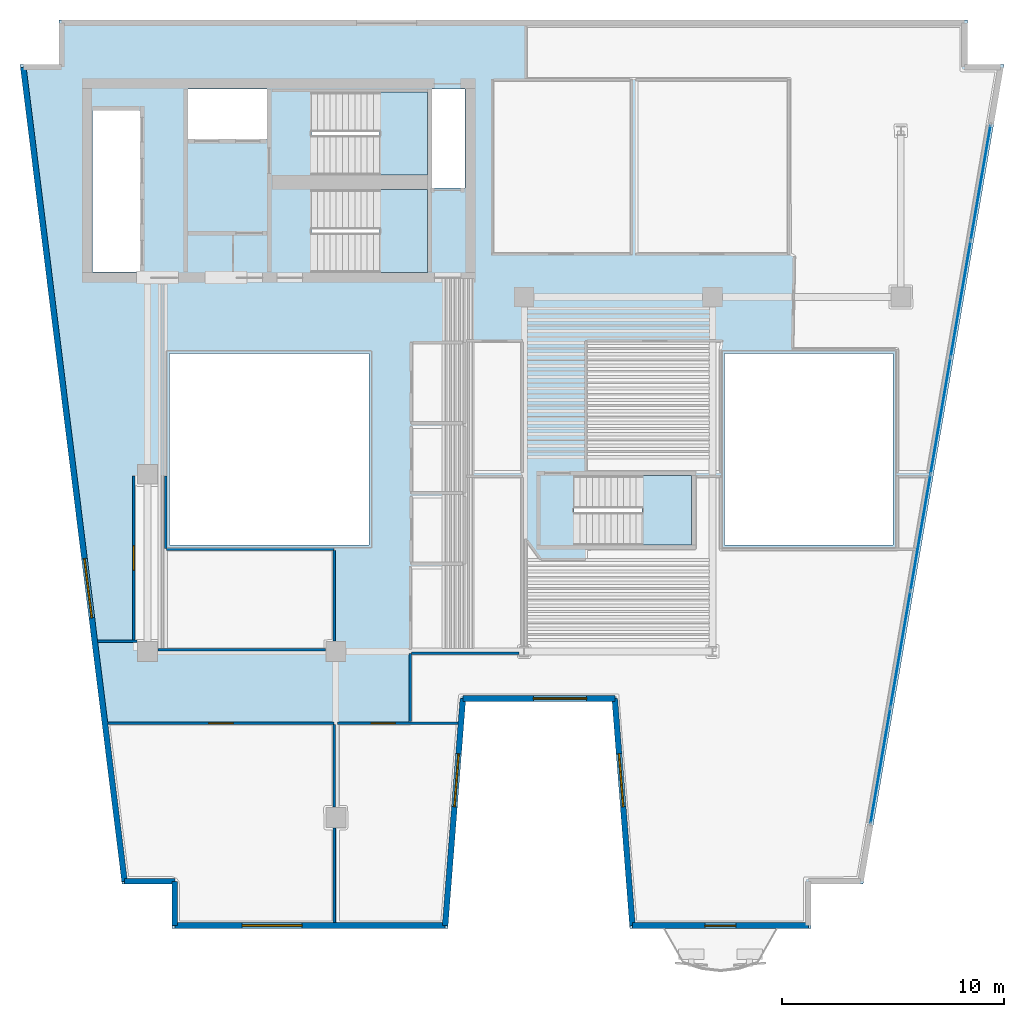
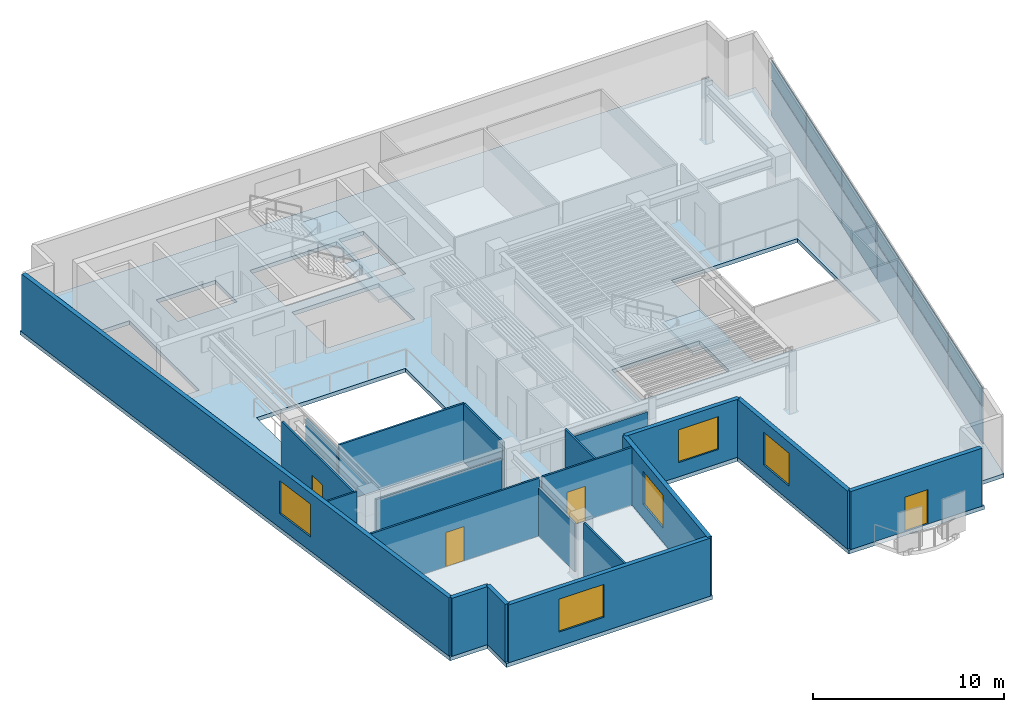
# One storey, part 3 of 10: 20 walls, 12 plates, 5 windows, 4 doors, 4 slabs, 9 openings, 4 elements without a shape of their own.
"""IFC4 building model written with IfcOpenShell, lengths in metres."""

from ifc_helpers import new_model, si_unit, direction, frame, frame_2d, origin, origin_2d, place, context, subcontext, project, spatial, polyline, rectangle, outline, extrude, material, layer, layer_set, type_object, element, fill, aggregate, save


model = new_model("IFC4")

# Units and contexts
model_context = context("Model", 3, precision=1e-05, world=origin(), true_north=direction((0.0, 1.0)))
body_context = subcontext(model_context, "Body", "Model", "MODEL_VIEW")
ifc_project = project(units=[si_unit("LENGTHUNIT", "METRE"), si_unit("AREAUNIT", "SQUARE_METRE"), si_unit("VOLUMEUNIT", "CUBIC_METRE"), si_unit("PLANEANGLEUNIT", "RADIAN"), si_unit("MASSUNIT", "GRAM", prefix="KILO")], contexts=[model_context])

# Site, building, storey
site_placement = place(None, origin())
site = spatial("IfcSite", under=ifc_project, at=site_placement, CompositionType="ELEMENT")
building_placement = place(site_placement, origin())
building = spatial("IfcBuilding", under=site, at=building_placement, Name="Caeloran Harvest Quay", CompositionType="ELEMENT")
storey_placement = place(building_placement, frame((0.0, 0.0, 191.64990234375)))
storey = spatial("IfcBuildingStorey", under=building, at=storey_placement, Name="L45", CompositionType="ELEMENT", Elevation=191.64990234375)

# Curtain wall, plates
ifc_material_1 = material(Name="Aluminium 6063-T6 and Low-E Glazing", Category="aluminium")
ifc_layer_1 = layer(ifc_material_1, 0.2099609375, Name="Aluminium 6063-T6 and Low-E Glazing")
ifc_layer_set_1 = layer_set([ifc_layer_1], Name="Aluminium 6063-T6 and Low-E Glazing")
curtain_wall_type = type_object("IfcCurtainWallType", Name="CW-SYS-CW-4", PredefinedType="USERDEFINED", material=ifc_layer_set_1)
curtain_wall_placement = place(storey_placement, origin())
curtain_wall = element("IfcCurtainWall", 1, at=curtain_wall_placement, inside=storey, type_object=curtain_wall_type, Name="L45 Unitised Curtain Wall CW-4 Run 9", ObjectType="CURTAIN_WALL", PredefinedType="USERDEFINED")
ifc_material_2 = material(Name="Low-E Double Glazed Vision Glass Unit", Category="glass")
ifc_layer_2 = layer(ifc_material_2, 0.035888671875, Name="Low-E Double Glazed Vision Glass Unit")
ifc_layer_set_2 = layer_set([ifc_layer_2], Name="Low-E Double Glazed Vision Glass Unit")
plate_type = type_object("IfcPlateType", Name="CW-VISION-PANEL", PredefinedType="CURTAIN_PANEL", material=ifc_layer_set_2)
plate_1_placement = place(storey_placement, frame((46.105224609375, 36.1533203125, 0.080078125), z_axis=(0.0, 0.0, 1.0), x_axis=(-0.169392351048, -0.985548695604, 0.0)))
plate_1 = element("IfcPlate", 2, at=plate_1_placement, type_object=plate_type, Name="CW-4 panel 1.1", PredefinedType="CURTAIN_PANEL", context=body_context, shape_type="SweptSolid", body=[
    extrude(rectangle(XDim=5.2265625, YDim=0.035888671875, at=origin_2d()), origin(), (0.0, 0.0, 1.0), 2.280029296875),
])
plate_2_placement = place(storey_placement, frame((46.105224609375, 36.1533203125, 2.43994140625), z_axis=(0.0, 0.0, 1.0), x_axis=(-0.169392351048, -0.985548695604, 0.0)))
plate_2 = element("IfcPlate", 3, at=plate_2_placement, type_object=plate_type, Name="CW-4 panel 1.2", PredefinedType="CURTAIN_PANEL", context=body_context, shape_type="SweptSolid", body=[
    extrude(rectangle(XDim=5.2265625, YDim=0.035888671875, at=origin_2d()), origin(), (0.0, 0.0, 1.0), 1.179931640625),
])
plate_3_placement = place(storey_placement, frame((45.203125, 30.90380859375, 0.080078125), z_axis=(0.0, 0.0, 1.0), x_axis=(-0.169392351048, -0.985548695604, 0.0)))
plate_3 = element("IfcPlate", 4, at=plate_3_placement, type_object=plate_type, Name="CW-4 panel 2.1", PredefinedType="CURTAIN_PANEL", context=body_context, shape_type="SweptSolid", body=[
    extrude(rectangle(XDim=5.266357421875, YDim=0.035888671875, at=origin_2d()), origin(), (0.0, 0.0, 1.0), 2.280029296875),
])
plate_4_placement = place(storey_placement, frame((45.203125, 30.90380859375, 2.43994140625), z_axis=(0.0, 0.0, 1.0), x_axis=(-0.169392351048, -0.985548695604, 0.0)))
plate_4 = element("IfcPlate", 5, at=plate_4_placement, type_object=plate_type, Name="CW-4 panel 2.2", PredefinedType="CURTAIN_PANEL", context=body_context, shape_type="SweptSolid", body=[
    extrude(rectangle(XDim=5.266357421875, YDim=0.035888671875, at=origin_2d()), origin(), (0.0, 0.0, 1.0), 1.179931640625),
])
plate_5_placement = place(storey_placement, frame((44.29736328125, 25.634521484375, 0.080078125), z_axis=(0.0, 0.0, 1.0), x_axis=(-0.169392351048, -0.985548695604, 0.0)))
plate_5 = element("IfcPlate", 6, at=plate_5_placement, type_object=plate_type, Name="CW-4 panel 3.1", PredefinedType="CURTAIN_PANEL", context=body_context, shape_type="SweptSolid", body=[
    extrude(rectangle(XDim=5.266357421875, YDim=0.035888671875, at=origin_2d()), origin(), (0.0, 0.0, 1.0), 2.280029296875),
])
plate_6_placement = place(storey_placement, frame((44.29736328125, 25.634521484375, 2.43994140625), z_axis=(0.0, 0.0, 1.0), x_axis=(-0.169392351048, -0.985548695604, 0.0)))
plate_6 = element("IfcPlate", 7, at=plate_6_placement, type_object=plate_type, Name="CW-4 panel 3.2", PredefinedType="CURTAIN_PANEL", context=body_context, shape_type="SweptSolid", body=[
    extrude(rectangle(XDim=5.266357421875, YDim=0.035888671875, at=origin_2d()), origin(), (0.0, 0.0, 1.0), 1.179931640625),
])
plate_7_placement = place(storey_placement, frame((43.391845703125, 20.365478515625, 0.080078125), z_axis=(0.0, 0.0, 1.0), x_axis=(-0.169392351048, -0.985548695604, 0.0)))
plate_7 = element("IfcPlate", 8, at=plate_7_placement, type_object=plate_type, Name="CW-4 panel 4.1", PredefinedType="CURTAIN_PANEL", context=body_context, shape_type="SweptSolid", body=[
    extrude(rectangle(XDim=5.266357421875, YDim=0.035888671875, at=origin_2d()), origin(), (0.0, 0.0, 1.0), 2.280029296875),
])
plate_8_placement = place(storey_placement, frame((43.391845703125, 20.365478515625, 2.43994140625), z_axis=(0.0, 0.0, 1.0), x_axis=(-0.169392351048, -0.985548695604, 0.0)))
plate_8 = element("IfcPlate", 9, at=plate_8_placement, type_object=plate_type, Name="CW-4 panel 4.2", PredefinedType="CURTAIN_PANEL", context=body_context, shape_type="SweptSolid", body=[
    extrude(rectangle(XDim=5.266357421875, YDim=0.035888671875, at=origin_2d()), origin(), (0.0, 0.0, 1.0), 1.179931640625),
])
plate_9_placement = place(storey_placement, frame((42.486083984375, 15.09619140625, 0.080078125), z_axis=(0.0, 0.0, 1.0), x_axis=(-0.169392351048, -0.985548695604, 0.0)))
plate_9 = element("IfcPlate", 10, at=plate_9_placement, type_object=plate_type, Name="CW-4 panel 5.1", PredefinedType="CURTAIN_PANEL", context=body_context, shape_type="SweptSolid", body=[
    extrude(rectangle(XDim=5.266357421875, YDim=0.035888671875, at=origin_2d()), origin(), (0.0, 0.0, 1.0), 2.280029296875),
])
plate_10_placement = place(storey_placement, frame((42.486083984375, 15.09619140625, 2.43994140625), z_axis=(0.0, 0.0, 1.0), x_axis=(-0.169392351048, -0.985548695604, 0.0)))
plate_10 = element("IfcPlate", 11, at=plate_10_placement, type_object=plate_type, Name="CW-4 panel 5.2", PredefinedType="CURTAIN_PANEL", context=body_context, shape_type="SweptSolid", body=[
    extrude(rectangle(XDim=5.266357421875, YDim=0.035888671875, at=origin_2d()), origin(), (0.0, 0.0, 1.0), 1.179931640625),
])
plate_11_placement = place(storey_placement, frame((41.583740234375, 9.8466796875, 0.080078125), z_axis=(0.0, 0.0, 1.0), x_axis=(-0.169392351048, -0.985548695604, 0.0)))
plate_11 = element("IfcPlate", 12, at=plate_11_placement, type_object=plate_type, Name="CW-4 panel 6.1", PredefinedType="CURTAIN_PANEL", context=body_context, shape_type="SweptSolid", body=[
    extrude(rectangle(XDim=5.2265625, YDim=0.035888671875, at=origin_2d()), origin(), (0.0, 0.0, 1.0), 2.280029296875),
])
plate_12_placement = place(storey_placement, frame((41.583740234375, 9.8466796875, 2.43994140625), z_axis=(0.0, 0.0, 1.0), x_axis=(-0.169392351048, -0.985548695604, 0.0)))
plate_12 = element("IfcPlate", 13, at=plate_12_placement, type_object=plate_type, Name="CW-4 panel 6.2", PredefinedType="CURTAIN_PANEL", context=body_context, shape_type="SweptSolid", body=[
    extrude(rectangle(XDim=5.2265625, YDim=0.035888671875, at=origin_2d()), origin(), (0.0, 0.0, 1.0), 1.179931640625),
])
aggregate(curtain_wall, [plate_1, plate_2, plate_3, plate_4, plate_5, plate_6, plate_7, plate_8, plate_9, plate_10, plate_11, plate_12])

# Slab
ifc_material_3 = material(Name="Concrete C50/60", Category="concrete")
ifc_layer_3 = layer(ifc_material_3, 0.25, Name="Concrete C50/60")
ifc_layer_set_3 = layer_set([ifc_layer_3], Name="Concrete C50/60")
slab_type_1 = type_object("IfcSlabType", Name="SLAB-FS-250", PredefinedType="FLOOR", material=ifc_layer_set_3)
slab_1_placement = place(storey_placement, frame((0.0, 0.0, -0.25)))
element("IfcSlab", 14, at=slab_1_placement, inside=storey, type_object=slab_type_1, Name="L45 Structural Floor Slab", PredefinedType="FLOOR", context=body_context, shape_type="SweptSolid", body=[
    extrude(outline(polyline([(9.60302734375, 2.5), (22.056884765625, 2.5), (22.85693359375, 12.75), (29.469482421875, 12.75), (30.26953125, 2.5), (38.452880859375, 2.5), (38.452880859375, 4.5), (40.796875, 4.5), (47.15625, 41.5), (45.5, 41.5), (45.5, 43.5), (4.5, 43.5), (4.5, 41.5), (2.748779296875, 41.5), (7.35400390625, 4.5), (9.60302734375, 4.5), (9.60302734375, 2.5)]), holes=[polyline([(27.75, 19.800048828125), (27.75, 22.949951171875), (33.050048828125, 22.949951171875), (33.050048828125, 19.800048828125), (27.75, 19.800048828125)]), polyline([(18.5, 19.800048828125), (9.5, 19.800048828125), (9.5, 28.449951171875), (18.5, 28.449951171875), (18.5, 19.800048828125)]), polyline([(42.14990234375, 19.800048828125), (34.550048828125, 19.800048828125), (34.550048828125, 28.449951171875), (42.14990234375, 28.449951171875), (42.14990234375, 19.800048828125)]), polyline([(15.89990234375, 32.10009765625), (15.89990234375, 35.85009765625), (21.14990234375, 35.85009765625), (21.14990234375, 32.10009765625), (15.89990234375, 32.10009765625)]), polyline([(8.159912109375, 32.1201171875), (6.02001953125, 32.1201171875), (6.02001953125, 39.419921875), (8.159912109375, 39.419921875), (8.159912109375, 32.1201171875)]), polyline([(22.830078125, 35.919921875), (21.35009765625, 35.919921875), (21.35009765625, 40.3798828125), (22.830078125, 40.3798828125), (22.830078125, 35.919921875)]), polyline([(15.89990234375, 36.5), (15.89990234375, 40.25), (21.14990234375, 40.25), (21.14990234375, 36.5), (15.89990234375, 36.5)]), polyline([(13.89990234375, 38.1201171875), (10.320068359375, 38.1201171875), (10.320068359375, 40.3798828125), (13.89990234375, 40.3798828125), (13.89990234375, 38.1201171875)])]), origin(), (0.0, 0.0, 1.0), 0.25),
])

# Stair, slab
stair_type_1 = type_object("IfcStairType", Name="STAIR-STC-180", PredefinedType="HALF_TURN_STAIR", material=ifc_material_3)
stair_1_placement = place(storey_placement, origin())
stair_1 = element("IfcStair", 15, at=stair_1_placement, inside=storey, type_object=stair_type_1, Name="L45 Core Pressurized Exit Stair ST-C1", PredefinedType="HALF_TURN_STAIR")
ifc_layer_4 = layer(ifc_material_3, 0.219970703125, Name="Concrete C50/60")
ifc_layer_set_4 = layer_set([ifc_layer_4], Name="Concrete C50/60")
slab_type_2 = type_object("IfcSlabType", Name="STAIR-LANDING-220", PredefinedType="LANDING", material=ifc_layer_set_4)
slab_2_placement = place(storey_placement, frame((0.0, 0.0, 1.775146484375)))
slab_2 = element("IfcSlab", 16, at=slab_2_placement, type_object=slab_type_2, Name="ST-C1 landing 1", PredefinedType="LANDING", context=body_context, shape_type="SweptSolid", body=[
    extrude(outline(polyline([(18.97998046875, 36.5), (21.14990234375, 36.5), (21.14990234375, 40.25), (18.97998046875, 40.25), (18.97998046875, 36.5)])), origin(), (0.0, 0.0, 1.0), 0.199951171875),
])
aggregate(stair_1, [slab_2])

stair_2_placement = place(storey_placement, origin())
stair_2 = element("IfcStair", 17, at=stair_2_placement, inside=storey, type_object=stair_type_1, Name="L45 Core Pressurized Exit Stair ST-C2", PredefinedType="HALF_TURN_STAIR")
slab_3_placement = place(storey_placement, frame((0.0, 0.0, 1.775146484375)))
slab_3 = element("IfcSlab", 18, at=slab_3_placement, type_object=slab_type_2, Name="ST-C2 landing 1", PredefinedType="LANDING", context=body_context, shape_type="SweptSolid", body=[
    extrude(outline(polyline([(18.97998046875, 32.10009765625), (21.14990234375, 32.10009765625), (21.14990234375, 35.85009765625), (18.97998046875, 35.85009765625), (18.97998046875, 32.10009765625)])), origin(), (0.0, 0.0, 1.0), 0.199951171875),
])
aggregate(stair_2, [slab_3])

stair_type_2 = type_object("IfcStairType", Name="STAIR-STW-150", PredefinedType="HALF_TURN_STAIR", material=ifc_material_3)
stair_3_placement = place(storey_placement, origin())
stair_3 = element("IfcStair", 19, at=stair_3_placement, inside=storey, type_object=stair_type_2, Name="L45 East Wing Protected Exit Stair ST-W1", PredefinedType="HALF_TURN_STAIR")
slab_4_placement = place(storey_placement, frame((0.0, 0.0, 1.775146484375)))
slab_4 = element("IfcSlab", 20, at=slab_4_placement, type_object=slab_type_2, Name="ST-W1 landing 1", PredefinedType="LANDING", context=body_context, shape_type="SweptSolid", body=[
    extrude(outline(polyline([(30.830078125, 19.800048828125), (33.050048828125, 19.800048828125), (33.050048828125, 22.949951171875), (30.830078125, 22.949951171875), (30.830078125, 19.800048828125)])), origin(), (0.0, 0.0, 1.0), 0.199951171875),
])
aggregate(stair_3, [slab_4])

# Walls
ifc_material_4 = material(Name="Precast concrete C50/60", Category="concrete")
ifc_layer_5 = layer(ifc_material_4, 0.260009765625, Name="Precast concrete C50/60")
ifc_layer_set_5 = layer_set([ifc_layer_5], Name="Precast concrete C50/60")
wall_type_1 = type_object("IfcWallType", Name="ENV-WALL-EW-260", PredefinedType="STANDARD", material=ifc_layer_set_5)
wall_1_placement = place(storey_placement, frame((9.73291015625, 2.6298828125, 0.0), z_axis=(0.0, 0.0, 1.0), x_axis=(0.0, 1.0, 0.0)))
element("IfcWall", 21, at=wall_1_placement, inside=storey, type_object=wall_type_1, Name="L45 Exterior Precast Concrete Facade Wall 1", PredefinedType="STANDARD", context=body_context, shape_type="SweptSolid", body=[
    extrude(rectangle(XDim=2.0, YDim=0.260009765625, at=frame_2d((1.0, 0.0))), origin(), (0.0, 0.0, 1.0), 3.7001953125),
])
wall_2_placement = place(storey_placement, frame((9.73291015625, 4.6298828125, 0.0), z_axis=(0.0, 0.0, 1.0), x_axis=(-1.0, 0.0, 0.0)))
element("IfcWall", 22, at=wall_2_placement, inside=storey, type_object=wall_type_1, Name="L45 Exterior Precast Concrete Facade Wall 2", PredefinedType="STANDARD", context=body_context, shape_type="SweptSolid", body=[
    extrude(rectangle(XDim=2.263916015625, YDim=0.260009765625, at=frame_2d((1.1318359375, 0.0))), origin(), (0.0, 0.0, 1.0), 3.7001953125),
])

# Wall, opening, window
wall_3_placement = place(storey_placement, frame((7.468994140625, 4.6298828125, 0.0), z_axis=(0.0, 0.0, 1.0), x_axis=(-0.123515300309, 0.992342667928, 0.0)))
wall_3 = element("IfcWall", 23, at=wall_3_placement, inside=storey, type_object=wall_type_1, Name="L45 Exterior Precast Concrete Facade Wall 3", PredefinedType="STANDARD", context=body_context, shape_type="SweptSolid", body=[
    extrude(rectangle(XDim=37.023681640625, YDim=0.260009765625, at=frame_2d((18.51171875, 0.0))), origin(), (0.0, 0.0, 1.0), 3.7001953125),
])
opening_1_placement = place(wall_3_placement, frame((11.97802734375, 0.0, 0.89990234375)))
opening_1 = element("IfcOpeningElement", 24, at=opening_1_placement, cuts=wall_3, Name="Opening W-07", PredefinedType="OPENING", context=body_context, shape_type="SweptSolid", body=[
    extrude(rectangle(XDim=2.699951171875, YDim=2.10009765625, at=frame_2d((1.35009765625, 1.050048828125))), frame((0.0, 0.14013671875, 0.0), z_axis=(0.0, -1.0, 0.0), x_axis=(1.0, 0.0, 0.0)), (0.0, 0.0, 1.0), 0.280029296875),
])
ifc_material_5 = material(Name="Aluminium-Framed Low-E Laminated Glass", Category="aluminium")
window_type_1 = type_object("IfcWindowType", Name="WIN-W-07", PartitioningType="DOUBLE_PANEL_VERTICAL", PredefinedType="WINDOW", material=ifc_material_5)
window_1_placement = place(opening_1_placement, origin())
window_1 = element("IfcWindow", 25, at=window_1_placement, inside=storey, type_object=window_type_1, Name="L45 Facade Punched Window W-07", OverallHeight=2.10009765625, OverallWidth=2.699951171875, PartitioningType="DOUBLE_PANEL_VERTICAL", PredefinedType="WINDOW", context=body_context, shape_type="SweptSolid", body=[
    extrude(rectangle(XDim=2.699951171875, YDim=2.10009765625, at=frame_2d((1.35009765625, 1.050048828125))), frame((0.0, 0.030029296875, 0.0), z_axis=(0.0, -1.0, 0.0), x_axis=(1.0, 0.0, 0.0)), (0.0, 0.0, 1.0), 0.06005859375),
])
fill(opening_1, window_1)

# Wall, opening, door
wall_4_placement = place(storey_placement, frame((38.322998046875, 2.6298828125, 0.0), z_axis=(0.0, 0.0, 1.0), x_axis=(-1.0, 0.0, 0.0)))
wall_4 = element("IfcWall", 26, at=wall_4_placement, inside=storey, type_object=wall_type_1, Name="L45 Exterior Precast Concrete Facade Wall 12", PredefinedType="STANDARD", context=body_context, shape_type="SweptSolid", body=[
    extrude(rectangle(XDim=7.933349609375, YDim=0.260009765625, at=frame_2d((3.966796875, 0.0))), origin(), (0.0, 0.0, 1.0), 3.7001953125),
])
opening_2_placement = place(wall_4_placement, frame((3.26611328125, 0.0, 0.0)))
opening_2 = element("IfcOpeningElement", 27, at=opening_2_placement, cuts=wall_4, Name="Opening BD-02", PredefinedType="OPENING", context=body_context, shape_type="SweptSolid", body=[
    extrude(rectangle(XDim=1.39990234375, YDim=2.199951171875, at=frame_2d((0.699951171875, 1.10009765625))), frame((0.0, 0.14013671875, 0.0), z_axis=(0.0, -1.0, 0.0), x_axis=(1.0, 0.0, 0.0)), (0.0, 0.0, 1.0), 0.280029296875),
])
ifc_material_6 = material(Name="Thermally Broken Powder-Coated Aluminium and Safety Glass", Category="aluminium")
door_type_1 = type_object("IfcDoorType", Name="EXTDOOR-BD-02", OperationType="NOTDEFINED", PredefinedType="DOOR", material=ifc_material_6)
door_1_placement = place(opening_2_placement, origin())
door_1 = element("IfcDoor", 28, at=door_1_placement, inside=storey, type_object=door_type_1, Name="L45 Planted Balcony Glazed Access Door", OperationType="SINGLE_SWING_RIGHT", OverallHeight=2.199951171875, OverallWidth=1.39990234375, PredefinedType="DOOR", context=body_context, shape_type="SweptSolid", body=[
    extrude(rectangle(XDim=1.39990234375, YDim=2.199951171875, at=frame_2d((0.699951171875, 1.10009765625))), frame((0.0, 0.02490234375, 0.0), z_axis=(0.0, -1.0, 0.0), x_axis=(1.0, 0.0, 0.0)), (0.0, 0.0, 1.0), 0.050048828125),
])
fill(opening_2, door_1)

# Wall, opening, window
wall_5_placement = place(storey_placement, frame((30.3896484375, 2.6298828125, 0.0), z_axis=(0.0, 0.0, 1.0), x_axis=(-0.077816860153, 0.996967670627, 0.0)))
wall_5 = element("IfcWall", 29, at=wall_5_placement, inside=storey, type_object=wall_type_1, Name="L45 Exterior Precast Concrete Facade Wall 13", PredefinedType="STANDARD", context=body_context, shape_type="SweptSolid", body=[
    extrude(rectangle(XDim=10.28125, YDim=0.260009765625, at=frame_2d((5.140625, 0.0))), origin(), (0.0, 0.0, 1.0), 3.7001953125),
])
opening_3_placement = place(wall_5_placement, frame((5.3798828125, 0.0, 0.89990234375)))
opening_3 = element("IfcOpeningElement", 30, at=opening_3_placement, cuts=wall_5, Name="Opening W-02", PredefinedType="OPENING", context=body_context, shape_type="SweptSolid", body=[
    extrude(rectangle(XDim=2.39990234375, YDim=2.10009765625, at=frame_2d((1.199951171875, 1.050048828125))), frame((0.0, 0.14013671875, 0.0), z_axis=(0.0, -1.0, 0.0), x_axis=(1.0, 0.0, 0.0)), (0.0, 0.0, 1.0), 0.280029296875),
])
window_type_2 = type_object("IfcWindowType", Name="WIN-W-02", PartitioningType="DOUBLE_PANEL_VERTICAL", PredefinedType="WINDOW", material=ifc_material_5)
window_2_placement = place(opening_3_placement, origin())
window_2 = element("IfcWindow", 31, at=window_2_placement, inside=storey, type_object=window_type_2, Name="L45 Facade Punched Window W-02", OverallHeight=2.10009765625, OverallWidth=2.39990234375, PartitioningType="DOUBLE_PANEL_VERTICAL", PredefinedType="WINDOW", context=body_context, shape_type="SweptSolid", body=[
    extrude(rectangle(XDim=2.39990234375, YDim=2.10009765625, at=frame_2d((1.199951171875, 1.050048828125))), frame((0.0, 0.030029296875, 0.0), z_axis=(0.0, -1.0, 0.0), x_axis=(1.0, 0.0, 0.0)), (0.0, 0.0, 1.0), 0.06005859375),
])
fill(opening_3, window_2)

wall_6_placement = place(storey_placement, frame((29.589599609375, 12.8798828125, 0.0), z_axis=(0.0, 0.0, 1.0), x_axis=(-1.0, 0.0, 0.0)))
wall_6 = element("IfcWall", 32, at=wall_6_placement, inside=storey, type_object=wall_type_1, Name="L45 Exterior Precast Concrete Facade Wall 14", PredefinedType="STANDARD", context=body_context, shape_type="SweptSolid", body=[
    extrude(rectangle(XDim=6.852783203125, YDim=0.260009765625, at=frame_2d((3.42626953125, 0.0))), origin(), (0.0, 0.0, 1.0), 3.7001953125),
])
opening_4_placement = place(wall_6_placement, frame((1.26708984375, 0.0, 0.89990234375)))
opening_4 = element("IfcOpeningElement", 33, at=opening_4_placement, cuts=wall_6, Name="Opening W-02", PredefinedType="OPENING", context=body_context, shape_type="SweptSolid", body=[
    extrude(rectangle(XDim=2.39990234375, YDim=2.10009765625, at=frame_2d((1.199951171875, 1.050048828125))), frame((0.0, 0.14013671875, 0.0), z_axis=(0.0, -1.0, 0.0), x_axis=(1.0, 0.0, 0.0)), (0.0, 0.0, 1.0), 0.280029296875),
])
window_3_placement = place(opening_4_placement, origin())
window_3 = element("IfcWindow", 34, at=window_3_placement, inside=storey, type_object=window_type_2, Name="L45 Facade Punched Window W-02", OverallHeight=2.10009765625, OverallWidth=2.39990234375, PartitioningType="DOUBLE_PANEL_VERTICAL", PredefinedType="WINDOW", context=body_context, shape_type="SweptSolid", body=[
    extrude(rectangle(XDim=2.39990234375, YDim=2.10009765625, at=frame_2d((1.199951171875, 1.050048828125))), frame((0.0, 0.030029296875, 0.0), z_axis=(0.0, -1.0, 0.0), x_axis=(1.0, 0.0, 0.0)), (0.0, 0.0, 1.0), 0.06005859375),
])
fill(opening_4, window_3)

wall_7_placement = place(storey_placement, frame((22.73681640625, 12.8798828125, 0.0), z_axis=(0.0, 0.0, 1.0), x_axis=(-0.077816860153, -0.996967670627, 0.0)))
wall_7 = element("IfcWall", 35, at=wall_7_placement, inside=storey, type_object=wall_type_1, Name="L45 Exterior Precast Concrete Facade Wall 15", PredefinedType="STANDARD", context=body_context, shape_type="SweptSolid", body=[
    extrude(rectangle(XDim=10.28125, YDim=0.260009765625, at=frame_2d((5.140625, 0.0))), origin(), (0.0, 0.0, 1.0), 3.7001953125),
])
opening_5_placement = place(wall_7_placement, frame((2.5009765625, 0.0, 0.89990234375)))
opening_5 = element("IfcOpeningElement", 36, at=opening_5_placement, cuts=wall_7, Name="Opening W-02", PredefinedType="OPENING", context=body_context, shape_type="SweptSolid", body=[
    extrude(rectangle(XDim=2.39990234375, YDim=2.10009765625, at=frame_2d((1.199951171875, 1.050048828125))), frame((0.0, 0.14013671875, 0.0), z_axis=(0.0, -1.0, 0.0), x_axis=(1.0, 0.0, 0.0)), (0.0, 0.0, 1.0), 0.280029296875),
])
window_4_placement = place(opening_5_placement, origin())
window_4 = element("IfcWindow", 37, at=window_4_placement, inside=storey, type_object=window_type_2, Name="L45 Facade Punched Window W-02", OverallHeight=2.10009765625, OverallWidth=2.39990234375, PartitioningType="DOUBLE_PANEL_VERTICAL", PredefinedType="WINDOW", context=body_context, shape_type="SweptSolid", body=[
    extrude(rectangle(XDim=2.39990234375, YDim=2.10009765625, at=frame_2d((1.199951171875, 1.050048828125))), frame((0.0, 0.030029296875, 0.0), z_axis=(0.0, -1.0, 0.0), x_axis=(1.0, 0.0, 0.0)), (0.0, 0.0, 1.0), 0.06005859375),
])
fill(opening_5, window_4)

wall_8_placement = place(storey_placement, frame((21.936767578125, 2.6298828125, 0.0), z_axis=(0.0, 0.0, 1.0), x_axis=(-1.0, 0.0, 0.0)))
wall_8 = element("IfcWall", 38, at=wall_8_placement, inside=storey, type_object=wall_type_1, Name="L45 Exterior Precast Concrete Facade Wall 16", PredefinedType="STANDARD", context=body_context, shape_type="SweptSolid", body=[
    extrude(rectangle(XDim=12.203857421875, YDim=0.260009765625, at=frame_2d((6.10205078125, 0.0))), origin(), (0.0, 0.0, 1.0), 3.7001953125),
])
opening_6_placement = place(wall_8_placement, frame((6.4599609375, 0.0, 0.89990234375)))
opening_6 = element("IfcOpeningElement", 39, at=opening_6_placement, cuts=wall_8, Name="Opening W-07", PredefinedType="OPENING", context=body_context, shape_type="SweptSolid", body=[
    extrude(rectangle(XDim=2.699951171875, YDim=2.10009765625, at=frame_2d((1.35009765625, 1.050048828125))), frame((0.0, 0.14013671875, 0.0), z_axis=(0.0, -1.0, 0.0), x_axis=(1.0, 0.0, 0.0)), (0.0, 0.0, 1.0), 0.280029296875),
])
window_5_placement = place(opening_6_placement, origin())
window_5 = element("IfcWindow", 40, at=window_5_placement, inside=storey, type_object=window_type_1, Name="L45 Facade Punched Window W-07", OverallHeight=2.10009765625, OverallWidth=2.699951171875, PartitioningType="DOUBLE_PANEL_VERTICAL", PredefinedType="WINDOW", context=body_context, shape_type="SweptSolid", body=[
    extrude(rectangle(XDim=2.699951171875, YDim=2.10009765625, at=frame_2d((1.35009765625, 1.050048828125))), frame((0.0, 0.030029296875, 0.0), z_axis=(0.0, -1.0, 0.0), x_axis=(1.0, 0.0, 0.0)), (0.0, 0.0, 1.0), 0.06005859375),
])
fill(opening_6, window_5)

# Wall, opening, door
ifc_material_7 = material(Name="Single-Stud Acoustic Gypsum Office Partition", Category="gypsum")
ifc_layer_6 = layer(ifc_material_7, 0.112060546875, Name="Single-Stud Acoustic Gypsum Office Partition")
ifc_layer_set_6 = layer_set([ifc_layer_6], Name="Single-Stud Acoustic Gypsum Office Partition")
wall_type_2 = type_object("IfcWallType", Name="INT-WALL-PW-112", PredefinedType="PARTITIONING", material=ifc_layer_set_6)
wall_9_placement = place(storey_placement, frame((6.71630859375, 11.77001953125, 0.0), z_axis=(0.0, 0.0, 1.0), x_axis=(1.0, 0.0, 0.0)))
wall_9 = element("IfcWall", 41, at=wall_9_placement, inside=storey, type_object=wall_type_2, Name="Harbourfront Commercial Counsel Office Partition Wall", PredefinedType="PARTITIONING", context=body_context, shape_type="SweptSolid", body=[
    extrude(rectangle(XDim=10.20361328125, YDim=0.112060546875, at=frame_2d((5.101806640625, 0.0))), origin(), (0.0, 0.0, 1.0), 3.7001953125),
])
opening_7_placement = place(wall_9_placement, frame((4.552001953125, 0.0, 0.0)))
opening_7 = element("IfcOpeningElement", 42, at=opening_7_placement, cuts=wall_9, Name="Opening ID-04", PredefinedType="OPENING", context=body_context, shape_type="SweptSolid", body=[
    extrude(rectangle(XDim=1.10009765625, YDim=2.199951171875, at=frame_2d((0.550048828125, 1.10009765625))), frame((0.0, 0.06591796875, 0.0), z_axis=(0.0, -1.0, 0.0), x_axis=(1.0, 0.0, 0.0)), (0.0, 0.0, 1.0), 0.132080078125),
])
ifc_material_8 = material(Name="Acoustic Walnut Veneer Executive Door", Category="wood")
door_type_2 = type_object("IfcDoorType", Name="INTDOOR-ID-04", OperationType="NOTDEFINED", PredefinedType="DOOR", material=ifc_material_8)
door_2_placement = place(opening_7_placement, origin())
door_2 = element("IfcDoor", 43, at=door_2_placement, inside=storey, type_object=door_type_2, Name="Harbourfront Commercial Counsel Office Access Door", OperationType="SINGLE_SWING_LEFT", OverallHeight=2.199951171875, OverallWidth=1.10009765625, PredefinedType="DOOR", context=body_context, shape_type="SweptSolid", body=[
    extrude(rectangle(XDim=1.10009765625, YDim=2.199951171875, at=frame_2d((0.550048828125, 1.10009765625))), frame((0.0, 0.02490234375, 0.0), z_axis=(0.0, -1.0, 0.0), x_axis=(1.0, 0.0, 0.0)), (0.0, 0.0, 1.0), 0.050048828125),
])
fill(opening_7, door_2)

# Walls
wall_10_placement = place(storey_placement, frame((16.919921875, 11.708984375, 0.0), z_axis=(0.0, 0.0, 1.0), x_axis=(0.0, -1.0, 0.0)))
element("IfcWall", 44, at=wall_10_placement, inside=storey, type_object=wall_type_2, Name="Harbourfront Commercial Counsel Office Partition Wall", PredefinedType="PARTITIONING", context=body_context, shape_type="SweptSolid", body=[
    extrude(rectangle(XDim=3.73388671875, YDim=0.112060546875, at=frame_2d((1.866943359375, 0.0))), origin(), (0.0, 0.0, 1.0), 3.085205078125),
])
wall_11_placement = place(storey_placement, frame((16.919921875, 7.02490234375, 0.0), z_axis=(0.0, 0.0, 1.0), x_axis=(0.0, -1.0, 0.0)))
element("IfcWall", 45, at=wall_11_placement, inside=storey, type_object=wall_type_2, Name="Harbourfront Commercial Counsel Office Partition Wall", PredefinedType="PARTITIONING", context=body_context, shape_type="SweptSolid", body=[
    extrude(rectangle(XDim=4.260009765625, YDim=0.112060546875, at=frame_2d((2.1298828125, 0.0))), origin(), (0.0, 0.0, 1.0), 3.7001953125),
])

# Wall, opening, door
wall_12_placement = place(storey_placement, frame((17.080078125, 11.77001953125, 0.0), z_axis=(0.0, 0.0, 1.0), x_axis=(1.0, 0.0, 0.0)))
wall_12 = element("IfcWall", 46, at=wall_12_placement, inside=storey, type_object=wall_type_2, Name="Commodities Research Office Partition Wall", PredefinedType="PARTITIONING", context=body_context, shape_type="SweptSolid", body=[
    extrude(rectangle(XDim=5.434814453125, YDim=0.112060546875, at=frame_2d((2.71728515625, 0.0))), origin(), (0.0, 0.0, 1.0), 3.7001953125),
])
opening_8_placement = place(wall_12_placement, frame((1.51220703125, 0.0, 0.0)))
opening_8 = element("IfcOpeningElement", 47, at=opening_8_placement, cuts=wall_12, Name="Opening ID-04", PredefinedType="OPENING", context=body_context, shape_type="SweptSolid", body=[
    extrude(rectangle(XDim=1.10009765625, YDim=2.199951171875, at=frame_2d((0.550048828125, 1.10009765625))), frame((0.0, 0.06591796875, 0.0), z_axis=(0.0, -1.0, 0.0), x_axis=(1.0, 0.0, 0.0)), (0.0, 0.0, 1.0), 0.132080078125),
])
door_3_placement = place(opening_8_placement, origin())
door_3 = element("IfcDoor", 48, at=door_3_placement, inside=storey, type_object=door_type_2, Name="Commodities Research Office Access Door", OperationType="SINGLE_SWING_LEFT", OverallHeight=2.199951171875, OverallWidth=1.10009765625, PredefinedType="DOOR", context=body_context, shape_type="SweptSolid", body=[
    extrude(rectangle(XDim=1.10009765625, YDim=2.199951171875, at=frame_2d((0.550048828125, 1.10009765625))), frame((0.0, 0.02490234375, 0.0), z_axis=(0.0, -1.0, 0.0), x_axis=(1.0, 0.0, 0.0)), (0.0, 0.0, 1.0), 0.050048828125),
])
fill(opening_8, door_3)

# Walls
wall_13_placement = place(storey_placement, frame((20.35009765625, 11.8310546875, 0.0), z_axis=(0.0, 0.0, 1.0), x_axis=(0.0, 1.0, 0.0)))
element("IfcWall", 49, at=wall_13_placement, inside=storey, type_object=wall_type_2, Name="Commodities Research Office Partition Wall", PredefinedType="PARTITIONING", context=body_context, shape_type="SweptSolid", body=[
    extrude(rectangle(XDim=3.0888671875, YDim=0.112060546875, at=frame_2d((1.54443359375, 0.0))), origin(), (0.0, 0.0, 1.0), 3.7001953125),
])
wall_14_placement = place(storey_placement, frame((20.410888671875, 14.919921875, 0.0), z_axis=(0.0, 0.0, 1.0), x_axis=(1.0, 0.0, 0.0)))
element("IfcWall", 50, at=wall_14_placement, inside=storey, type_object=wall_type_2, Name="Commodities Research Office Partition Wall", PredefinedType="PARTITIONING", context=body_context, shape_type="SweptSolid", body=[
    extrude(rectangle(XDim=4.856201171875, YDim=0.112060546875, at=frame_2d((2.42822265625, 0.0))), origin(), (0.0, 0.0, 1.0), 3.085205078125),
])
wall_15_placement = place(storey_placement, frame((9.35009765625, 19.6201171875, 0.0), z_axis=(0.0, 0.0, 1.0), x_axis=(1.0, 0.0, 0.0)))
element("IfcWall", 51, at=wall_15_placement, inside=storey, type_object=wall_type_2, Name="Maritime Trade Advisory Office Partition Wall", PredefinedType="PARTITIONING", context=body_context, shape_type="SweptSolid", body=[
    extrude(rectangle(XDim=7.56982421875, YDim=0.112060546875, at=frame_2d((3.784912109375, 0.0))), origin(), (0.0, 0.0, 1.0), 3.7001953125),
])
wall_16_placement = place(storey_placement, frame((16.919921875, 19.55908203125, 0.0), z_axis=(0.0, 0.0, 1.0), x_axis=(0.0, -1.0, 0.0)))
element("IfcWall", 52, at=wall_16_placement, inside=storey, type_object=wall_type_2, Name="Maritime Trade Advisory Office Partition Wall", PredefinedType="PARTITIONING", context=body_context, shape_type="SweptSolid", body=[
    extrude(rectangle(XDim=4.083984375, YDim=0.112060546875, at=frame_2d((2.0419921875, 0.0))), origin(), (0.0, 0.0, 1.0), 3.7001953125),
])
wall_17_placement = place(storey_placement, frame((16.52490234375, 15.080078125, 0.0), z_axis=(0.0, 0.0, 1.0), x_axis=(-1.0, 0.0, 0.0)))
element("IfcWall", 53, at=wall_17_placement, inside=storey, type_object=wall_type_2, Name="Maritime Trade Advisory Office Partition Wall", PredefinedType="PARTITIONING", context=body_context, shape_type="SweptSolid", body=[
    extrude(rectangle(XDim=7.5498046875, YDim=0.112060546875, at=frame_2d((3.77490234375, 0.0))), origin(), (0.0, 0.0, 1.0), 3.085205078125),
])
wall_18_placement = place(storey_placement, frame((8.02490234375, 15.465087890625, 0.0), z_axis=(0.0, 0.0, 1.0), x_axis=(-1.0, 0.0, 0.0)))
element("IfcWall", 54, at=wall_18_placement, inside=storey, type_object=wall_type_2, Name="Maritime Trade Advisory Office Partition Wall", PredefinedType="PARTITIONING", context=body_context, shape_type="SweptSolid", body=[
    extrude(rectangle(XDim=1.7685546875, YDim=0.112060546875, at=frame_2d((0.88427734375, 0.0))), origin(), (0.0, 0.0, 1.0), 3.7001953125),
])

# Wall, opening, door
wall_19_placement = place(storey_placement, frame((7.8798828125, 15.52587890625, 0.0), z_axis=(0.0, 0.0, 1.0), x_axis=(0.0, 1.0, 0.0)))
wall_19 = element("IfcWall", 55, at=wall_19_placement, inside=storey, type_object=wall_type_2, Name="Maritime Trade Advisory Office Partition Wall", PredefinedType="PARTITIONING", context=body_context, shape_type="SweptSolid", body=[
    extrude(rectangle(XDim=7.39404296875, YDim=0.112060546875, at=frame_2d((3.697021484375, 0.0))), origin(), (0.0, 0.0, 1.0), 3.7001953125),
])
opening_9_placement = place(wall_19_placement, frame((3.14697265625, 0.0, 0.0)))
opening_9 = element("IfcOpeningElement", 56, at=opening_9_placement, cuts=wall_19, Name="Opening ID-04", PredefinedType="OPENING", context=body_context, shape_type="SweptSolid", body=[
    extrude(rectangle(XDim=1.10009765625, YDim=2.199951171875, at=frame_2d((0.550048828125, 1.10009765625))), frame((0.0, 0.06591796875, 0.0), z_axis=(0.0, -1.0, 0.0), x_axis=(1.0, 0.0, 0.0)), (0.0, 0.0, 1.0), 0.132080078125),
])
door_4_placement = place(opening_9_placement, origin())
door_4 = element("IfcDoor", 57, at=door_4_placement, inside=storey, type_object=door_type_2, Name="Maritime Trade Advisory Office Access Door", OperationType="SINGLE_SWING_RIGHT", OverallHeight=2.199951171875, OverallWidth=1.10009765625, PredefinedType="DOOR", context=body_context, shape_type="SweptSolid", body=[
    extrude(rectangle(XDim=1.10009765625, YDim=2.199951171875, at=frame_2d((0.550048828125, 1.10009765625))), frame((0.0, 0.02490234375, 0.0), z_axis=(0.0, -1.0, 0.0), x_axis=(1.0, 0.0, 0.0)), (0.0, 0.0, 1.0), 0.050048828125),
])
fill(opening_9, door_4)

# Wall
wall_20_placement = place(storey_placement, frame((9.320068359375, 22.919921875, 0.0), z_axis=(0.0, 0.0, 1.0), x_axis=(0.0, -1.0, 0.0)))
element("IfcWall", 58, at=wall_20_placement, inside=storey, type_object=wall_type_2, Name="Maritime Trade Advisory Office Partition Wall", PredefinedType="PARTITIONING", context=body_context, shape_type="SweptSolid", body=[
    extrude(rectangle(XDim=3.27001953125, YDim=0.112060546875, at=frame_2d((1.635009765625, 0.0))), origin(), (0.0, 0.0, 1.0), 3.385009765625),
])

save(model, "model.ifc")
